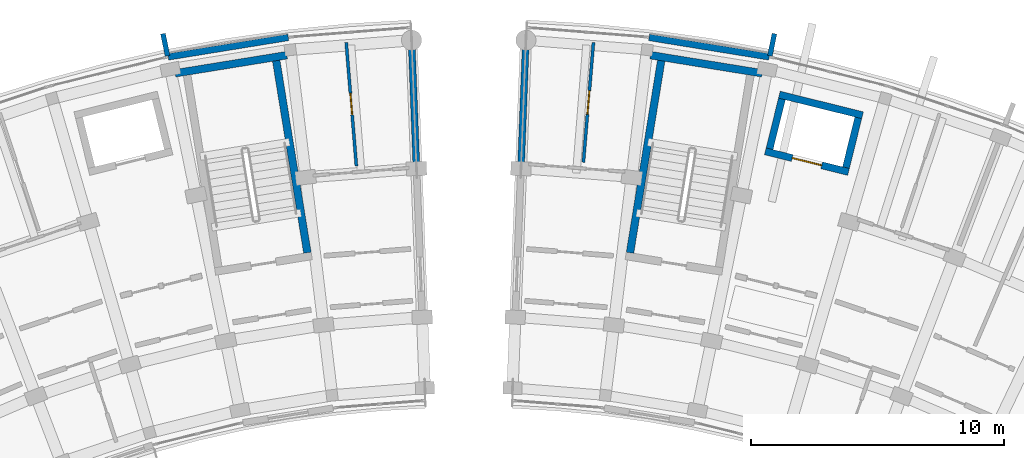
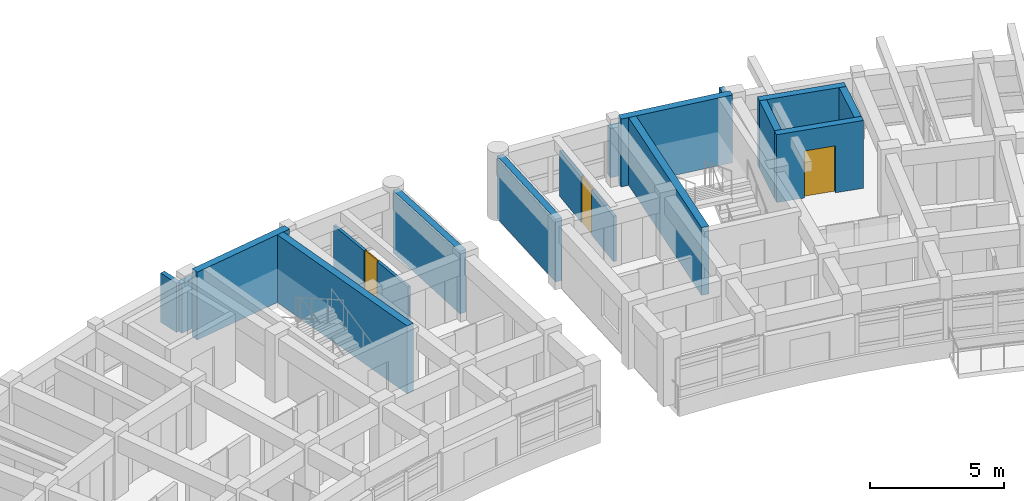
# One storey, part 31 of 56: 16 walls, 3 doors, 3 openings.
"""IFC4 building model written with IfcOpenShell, lengths in metres."""

from ifc_helpers import new_model, si_unit, direction, frame, frame_2d, origin, place, context, subcontext, project, spatial, rectangle, extrude, material, layer, layer_set, type_object, element, fill, save


model = new_model("IFC4")

# Units and contexts
model_context = context("Model", 3, precision=1e-05, world=origin(), true_north=direction((0.0, 1.0)))
body_context = subcontext(model_context, "Body", "Model", "MODEL_VIEW")
ifc_project = project(units=[si_unit("LENGTHUNIT", "METRE"), si_unit("AREAUNIT", "SQUARE_METRE"), si_unit("VOLUMEUNIT", "CUBIC_METRE"), si_unit("PLANEANGLEUNIT", "RADIAN"), si_unit("MASSUNIT", "GRAM", prefix="KILO")], contexts=[model_context])

# Site, building, storey
site_placement = place(None, origin())
site = spatial("IfcSite", under=ifc_project, at=site_placement, CompositionType="ELEMENT")
building_placement = place(site_placement, origin())
building = spatial("IfcBuilding", under=site, at=building_placement, Name="Zimvara Arc Housing Community", CompositionType="ELEMENT")
storey_placement = place(building_placement, frame((0.0, 0.0, 11.199951171875)))
storey = spatial("IfcBuildingStorey", under=building, at=storey_placement, Name="L03", CompositionType="ELEMENT", Elevation=11.199951171875)

# Walls
ifc_material_1 = material(Name="Board-Marked Fair-Faced Concrete C35/45", Category="concrete")
ifc_layer_1 = layer(ifc_material_1, 0.195068359375)
ifc_layer_set_1 = layer_set([ifc_layer_1], Name="Board-Marked Fair-Faced Concrete C35/45")
wall_type_1 = type_object("IfcWallType", Name="EWL-PARA-195", PredefinedType="PARAPET", material=ifc_layer_set_1)
for number, where, z_axis, x_axis, name in (
    (1, (33.092529296875, 102.714599609375, 0.0), (0.0, 0.0, 1.0), (-0.200183211319, 0.979758481416, 0.0), "finwall:blkA:L03:out:b8"),
    (2, (56.907470703125, 102.714599609375, 0.0), (0.0, 0.0, 1.0), (0.200183211319, 0.979758481416, 0.0), "finwall:blkB:L03:out:b2"),
):
    element("IfcWall", number, at=place(storey_placement, frame(where, z_axis=z_axis, x_axis=x_axis)), inside=storey, type_object=wall_type_1, Name=name, PredefinedType="PARAPET", context=body_context, shape_type="SweptSolid", body=[
        extrude(rectangle(XDim=0.900146484375, YDim=0.195068359375, at=frame_2d((0.4501953125, 0.0))), origin(), (0.0, 0.0, 1.0), 2.25),
    ])
ifc_material_2 = material(Name="Board-Marked Fair-Faced Concrete C35/45", Category="concrete")
ifc_layer_2 = layer(ifc_material_2, 0.261962890625)
ifc_layer_set_2 = layer_set([ifc_layer_2], Name="Board-Marked Fair-Faced Concrete C35/45")
wall_type_2 = type_object("IfcWallType", Name="EWL-VAR-20", PredefinedType="SOLIDWALL", material=ifc_layer_set_2)
for number, where, z_axis, x_axis, name in (
    (3, (33.120361328125, 102.6787109375, 0.0), (0.0, 0.0, 1.0), (0.987080750493, 0.160223568819, 0.0), "ewall:blkA:L03:out:b8"),
    (4, (52.1328125, 103.44921875, 0.0), (0.0, 0.0, 1.0), (0.987080750493, -0.160223568819, 0.0), "ewall:blkB:L03:out:b1"),
):
    element("IfcWall", number, at=place(storey_placement, frame(where, z_axis=z_axis, x_axis=x_axis)), inside=storey, type_object=wall_type_2, Name=name, PredefinedType="SOLIDWALL", context=body_context, shape_type="SweptSolid", body=[
        extrude(rectangle(XDim=4.808837890625, YDim=0.261962890625, at=frame_2d((2.404296875, 0.0))), origin(), (0.0, 0.0, 1.0), 2.25),
    ])

# Wall, opening, door
ifc_material_3 = material(Name="Painted Acoustic Plasterboard")
ifc_layer_3 = layer(ifc_material_3, 0.1201171875)
ifc_layer_set_3 = layer_set([ifc_layer_3], Name="Painted Acoustic Plasterboard")
wall_type_3 = type_object("IfcWallType", Name="IWL-PART-120", PredefinedType="PARTITIONING", material=ifc_layer_set_3)
wall_1_placement = place(storey_placement, frame((40.55908203125, 98.3671875, 0.0), z_axis=(0.0, 0.0, 1.0), x_axis=(-0.082158932509, 0.996619240136, 0.0)))
wall_1 = element("IfcWall", 5, at=wall_1_placement, inside=storey, type_object=wall_type_3, Name="iwall:blkA:L03:bed_div:b9", PredefinedType="PARTITIONING", context=body_context, shape_type="SweptSolid", body=[
    extrude(rectangle(XDim=4.900146484375, YDim=0.1201171875, at=frame_2d((2.4501953125, 0.0))), origin(), (0.0, 0.0, 1.0), 2.080078125),
])
opening_1_placement = place(wall_1_placement, frame((2.02490234375, 0.0, 0.0)))
opening_1 = element("IfcOpeningElement", 6, at=opening_1_placement, cuts=wall_1, Name="Opening D11", PredefinedType="OPENING", context=body_context, shape_type="SweptSolid", body=[
    extrude(rectangle(XDim=0.85009765625, YDim=2.10009765625, at=frame_2d((0.425048828125, 1.050048828125))), frame((0.0, 0.070068359375, 0.0), z_axis=(0.0, -1.0, 0.0), x_axis=(1.0, 0.0, 0.0)), (0.0, 0.0, 1.0), 0.14013671875),
])
ifc_material_4 = material(Name="Mozambican Hardwood", Category="wood")
door_type_1 = type_object("IfcDoorType", Name="IDR-MOD-850x2060", OperationType="NOTDEFINED", PredefinedType="DOOR", material=ifc_material_4)
door_1_placement = place(opening_1_placement, origin())
door_1 = element("IfcDoor", 7, at=door_1_placement, inside=storey, type_object=door_type_1, Name="idoor:blkA:L03:bed_d:b9", OperationType="SINGLE_SWING_LEFT", OverallHeight=2.10009765625, OverallWidth=0.85009765625, PredefinedType="DOOR", context=body_context, shape_type="SweptSolid", body=[
    extrude(rectangle(XDim=0.85009765625, YDim=2.10009765625, at=frame_2d((0.425048828125, 1.050048828125))), frame((0.0, 0.02490234375, 0.0), z_axis=(0.0, -1.0, 0.0), x_axis=(1.0, 0.0, 0.0)), (0.0, 0.0, 1.0), 0.050048828125),
])
fill(opening_1, door_1)

wall_2_placement = place(storey_placement, frame((49.53466796875, 98.510009765625, 0.0), z_axis=(0.0, 0.0, 1.0), x_axis=(0.083623955126, 0.996497382901, 0.0)))
wall_2 = element("IfcWall", 8, at=wall_2_placement, inside=storey, type_object=wall_type_3, Name="iwall:blkB:L03:bed_div:b0", PredefinedType="PARTITIONING", context=body_context, shape_type="SweptSolid", body=[
    extrude(rectangle(XDim=4.75, YDim=0.1201171875, at=frame_2d((2.375, 0.0))), origin(), (0.0, 0.0, 1.0), 2.080078125),
])
opening_2_placement = place(wall_2_placement, frame((1.909912109375, 0.0, 0.0)))
opening_2 = element("IfcOpeningElement", 9, at=opening_2_placement, cuts=wall_2, Name="Opening D13", PredefinedType="OPENING", context=body_context, shape_type="SweptSolid", body=[
    extrude(rectangle(XDim=0.929931640625, YDim=2.10009765625, at=frame_2d((0.46484375, 1.050048828125))), frame((0.0, 0.070068359375, 0.0), z_axis=(0.0, -1.0, 0.0), x_axis=(1.0, 0.0, 0.0)), (0.0, 0.0, 1.0), 0.14013671875),
])
ifc_material_5 = material(Name="Mozambican Hardwood", Category="wood")
door_type_2 = type_object("IfcDoorType", Name="IDR-MOD-930x2180", OperationType="NOTDEFINED", PredefinedType="DOOR", material=ifc_material_5)
door_2_placement = place(opening_2_placement, origin())
door_2 = element("IfcDoor", 10, at=door_2_placement, inside=storey, type_object=door_type_2, Name="idoor:blkB:L03:bed_d:b0", OperationType="SINGLE_SWING_LEFT", OverallHeight=2.10009765625, OverallWidth=0.929931640625, PredefinedType="DOOR", context=body_context, shape_type="SweptSolid", body=[
    extrude(rectangle(XDim=0.929931640625, YDim=2.10009765625, at=frame_2d((0.46484375, 1.050048828125))), frame((0.0, 0.02490234375, 0.0), z_axis=(0.0, -1.0, 0.0), x_axis=(1.0, 0.0, 0.0)), (0.0, 0.0, 1.0), 0.050048828125),
])
fill(opening_2, door_2)

ifc_material_6 = material(Name="Concrete C40/50", Category="concrete")
ifc_layer_4 = layer(ifc_material_6, 0.280029296875)
ifc_layer_set_4 = layer_set([ifc_layer_4], Name="Concrete C40/50")
wall_type_4 = type_object("IfcWallType", Name="WL-CORE-280", PredefinedType="SHEAR", material=ifc_layer_set_4)
wall_3_placement = place(storey_placement, frame((60.017578125, 98.127685546875, 0.0), z_axis=(0.0, 0.0, 1.0), x_axis=(-0.970707542441, 0.240264160972, 0.0)))
wall_3 = element("IfcWall", 11, at=wall_3_placement, inside=storey, type_object=wall_type_4, Name="lwall:LF-B1:L03:front", PredefinedType="SHEAR", context=body_context, shape_type="SweptSolid", body=[
    extrude(rectangle(XDim=3.389892578125, YDim=0.280029296875, at=frame_2d((1.69482421875, 0.0))), origin(), (0.0, 0.0, 1.0), 3.10009765625),
])
opening_3_placement = place(wall_3_placement, frame((1.094970703125, 0.0, 0.0)))
opening_3 = element("IfcOpeningElement", 12, at=opening_3_placement, cuts=wall_3, Name="Opening LD-LF-B1", PredefinedType="OPENING", context=body_context, shape_type="SweptSolid", body=[
    extrude(rectangle(XDim=1.199951171875, YDim=2.14990234375, at=frame_2d((0.60009765625, 1.074951171875))), frame((0.0, 0.14990234375, 0.0), z_axis=(0.0, -1.0, 0.0), x_axis=(1.0, 0.0, 0.0)), (0.0, 0.0, 1.0), 0.300048828125),
])
ifc_material_7 = material(Name="Anodised Aluminium AW-6063", Category="aluminium")
door_type_3 = type_object("IfcDoorType", Name="IDR-LD-1200x2150", OperationType="DOUBLE_DOOR_SLIDING", PredefinedType="DOOR", material=ifc_material_7)
door_3_placement = place(opening_3_placement, origin())
door_3 = element("IfcDoor", 13, at=door_3_placement, inside=storey, type_object=door_type_3, Name="Lift LF-B1 Sliding Landing Door L03", OperationType="DOUBLE_DOOR_SLIDING", OverallHeight=2.14990234375, OverallWidth=1.199951171875, PredefinedType="DOOR", context=body_context, shape_type="SweptSolid", body=[
    extrude(rectangle(XDim=1.199951171875, YDim=2.14990234375, at=frame_2d((0.60009765625, 1.074951171875))), frame((0.0, 0.02490234375, 0.0), z_axis=(0.0, -1.0, 0.0), x_axis=(1.0, 0.0, 0.0)), (0.0, 0.0, 1.0), 0.050048828125),
])
fill(opening_3, door_3)

# Walls
wall_4_placement = place(storey_placement, frame((60.572509765625, 100.3701171875, 0.0), z_axis=(0.0, 0.0, 1.0), x_axis=(-0.970711699588, 0.240247364777, 0.0)))
element("IfcWall", 14, at=wall_4_placement, inside=storey, type_object=wall_type_4, Name="lwall:LF-B1:L03:back", PredefinedType="SHEAR", context=body_context, shape_type="SweptSolid", body=[
    extrude(rectangle(XDim=3.39013671875, YDim=0.280029296875, at=frame_2d((1.695068359375, 0.0))), origin(), (0.0, 0.0, 1.0), 3.10009765625),
])
wall_5_placement = place(storey_placement, frame((59.915283203125, 98.29736328125, 0.0), z_axis=(0.0, 0.0, 1.0), x_axis=(0.2402993748, 0.970698825832, 0.0)))
element("IfcWall", 15, at=wall_5_placement, inside=storey, type_object=wall_type_4, Name="lwall:LF-B1:L03:left", PredefinedType="SHEAR", context=body_context, shape_type="SweptSolid", body=[
    extrude(rectangle(XDim=2.030029296875, YDim=0.280029296875, at=frame_2d((1.01513671875, 0.0))), origin(), (0.0, 0.0, 1.0), 3.10009765625),
])
wall_6_placement = place(storey_placement, frame((56.896484375, 99.04443359375, 0.0), z_axis=(0.0, 0.0, 1.0), x_axis=(0.240186044774, 0.970726873995, 0.0)))
element("IfcWall", 16, at=wall_6_placement, inside=storey, type_object=wall_type_4, Name="lwall:LF-B1:L03:right", PredefinedType="SHEAR", context=body_context, shape_type="SweptSolid", body=[
    extrude(rectangle(XDim=2.02978515625, YDim=0.280029296875, at=frame_2d((1.014892578125, 0.0))), origin(), (0.0, 0.0, 1.0), 3.10009765625),
])
ifc_material_8 = material(Name="Concrete C40/50", Category="concrete")
ifc_layer_5 = layer(ifc_material_8, 0.300048828125)
ifc_layer_set_5 = layer_set([ifc_layer_5], Name="Concrete C40/50")
wall_type_5 = type_object("IfcWallType", Name="WL-CORE-300", PredefinedType="SHEAR", material=ifc_layer_set_5)
wall_7_placement = place(storey_placement, frame((37.8095703125, 102.745361328125, 0.0), z_axis=(0.0, 0.0, 1.0), x_axis=(-0.987084710126, -0.160199173019, 0.0)))
element("IfcWall", 17, at=wall_7_placement, inside=storey, type_object=wall_type_5, Name="cwall:ST-A2:L03:far", PredefinedType="SHEAR", context=body_context, shape_type="SweptSolid", body=[
    extrude(rectangle(XDim=4.4697265625, YDim=0.300048828125, at=frame_2d((2.23486328125, 0.0))), origin(), (0.0, 0.0, 1.0), 3.10009765625),
])
wall_8_placement = place(storey_placement, frame((38.62158203125, 94.9345703125, 0.0), z_axis=(0.0, 0.0, 1.0), x_axis=(-0.160196564502, 0.987085133472, 0.0)))
element("IfcWall", 18, at=wall_8_placement, inside=storey, type_object=wall_type_5, Name="cwall:ST-A2:L03:left", PredefinedType="SHEAR", context=body_context, shape_type="SweptSolid", body=[
    extrude(rectangle(XDim=7.690185546875, YDim=0.300048828125, at=frame_2d((3.84521484375, 0.0))), origin(), (0.0, 0.0, 1.0), 3.10009765625),
])
wall_9_placement = place(storey_placement, frame((56.6025390625, 102.029296875, 0.0), z_axis=(0.0, 0.0, 1.0), x_axis=(-0.987084710126, 0.160199173019, 0.0)))
element("IfcWall", 19, at=wall_9_placement, inside=storey, type_object=wall_type_5, Name="cwall:ST-B1:L03:far", PredefinedType="SHEAR", context=body_context, shape_type="SweptSolid", body=[
    extrude(rectangle(XDim=4.4697265625, YDim=0.300048828125, at=frame_2d((2.23486328125, 0.0))), origin(), (0.0, 0.0, 1.0), 3.10009765625),
])
wall_10_placement = place(storey_placement, frame((51.37841796875, 94.9345703125, 0.0), z_axis=(0.0, 0.0, 1.0), x_axis=(0.160196564502, 0.987085133472, 0.0)))
element("IfcWall", 20, at=wall_10_placement, inside=storey, type_object=wall_type_5, Name="cwall:ST-B1:L03:right", PredefinedType="SHEAR", context=body_context, shape_type="SweptSolid", body=[
    extrude(rectangle(XDim=7.690185546875, YDim=0.300048828125, at=frame_2d((3.84521484375, 0.0))), origin(), (0.0, 0.0, 1.0), 3.10009765625),
])
ifc_material_9 = material(Name="Concrete C40/50", Category="concrete")
ifc_layer_6 = layer(ifc_material_9, 0.27001953125)
ifc_layer_set_6 = layer_set([ifc_layer_6], Name="Concrete C40/50")
wall_type_6 = type_object("IfcWallType", Name="WL-SHEAR-270", PredefinedType="SHEAR", material=ifc_layer_set_6)
for number, where, z_axis, x_axis, name in (
    (21, (42.927734375, 98.440185546875, 0.0), (0.0, 0.0, 1.0), (-0.038379487611, 0.999263236055, 0.0), "swall:blkA:L03:east"),
    (22, (47.072265625, 98.440185546875, 0.0), (0.0, 0.0, 1.0), (0.038379487611, 0.999263236055, 0.0), "swall:blkB:L03:west"),
):
    element("IfcWall", number, at=place(storey_placement, frame(where, z_axis=z_axis, x_axis=x_axis)), inside=storey, type_object=wall_type_6, Name=name, PredefinedType="SHEAR", context=body_context, shape_type="SweptSolid", body=[
        extrude(rectangle(XDim=4.719970703125, YDim=0.27001953125, at=frame_2d((2.35986328125, 0.0))), origin(), (0.0, 0.0, 1.0), 2.860107421875),
    ])

save(model, "model.ifc")
